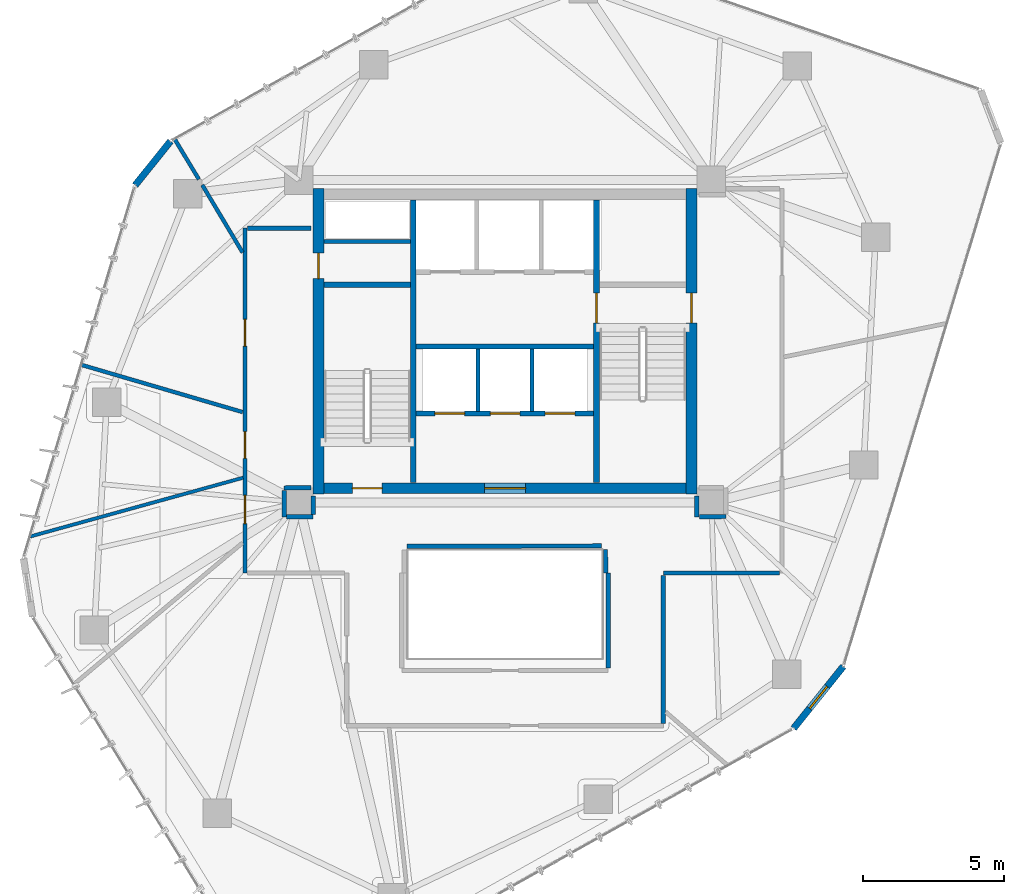
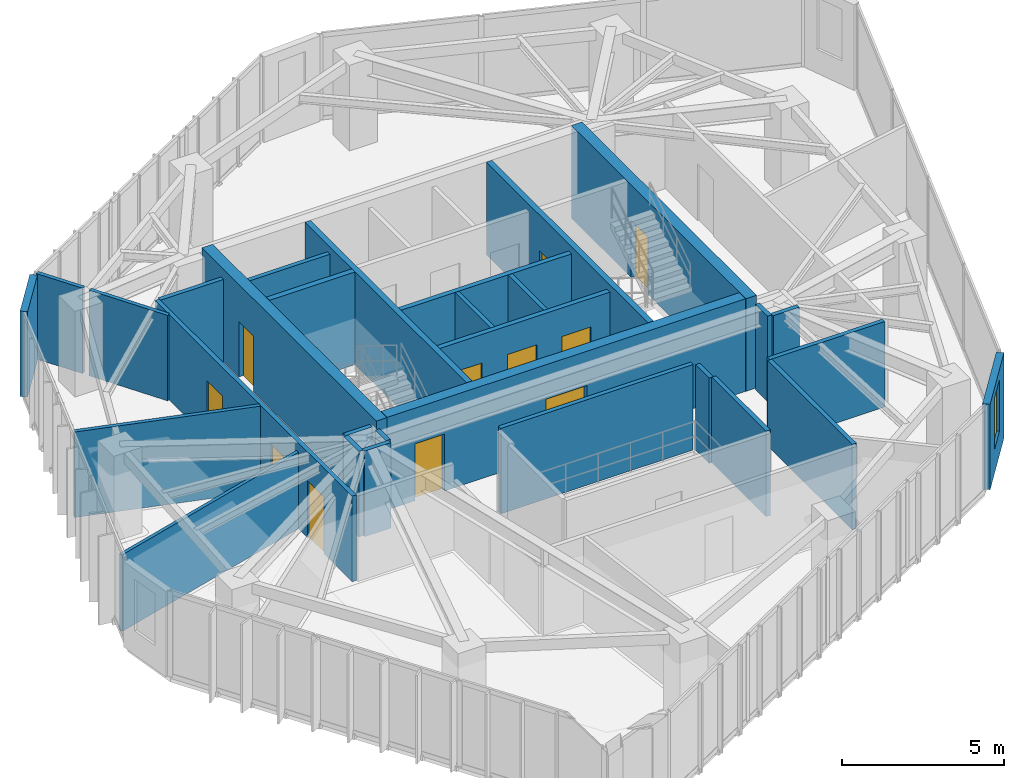
# One storey, part 16 of 19: 30 walls, 11 doors, 1 window, 12 openings.
"""IFC4 building model written with IfcOpenShell, lengths in metres."""

from ifc_helpers import new_model, si_unit, direction, frame, frame_2d, origin, place, context, subcontext, project, spatial, rectangle, extrude, source, transform, mapped, material, layer, layer_set, type_object, type_shapes, element, fill, save


model = new_model("IFC4")

# Units and contexts
model_context = context("Model", 3, precision=1e-05, world=origin(), true_north=direction((0.0, 1.0)))
body_context = subcontext(model_context, "Body", "Model", "MODEL_VIEW")
ifc_project = project(units=[si_unit("LENGTHUNIT", "METRE"), si_unit("AREAUNIT", "SQUARE_METRE"), si_unit("VOLUMEUNIT", "CUBIC_METRE"), si_unit("PLANEANGLEUNIT", "RADIAN"), si_unit("MASSUNIT", "GRAM", prefix="KILO")], contexts=[model_context])

# Site, building, storey
site_placement = place(None, origin())
site = spatial("IfcSite", under=ifc_project, at=site_placement, CompositionType="ELEMENT")
building_placement = place(site_placement, origin())
building = spatial("IfcBuilding", under=site, at=building_placement, Name="Talar Marvaseh", CompositionType="ELEMENT")
storey_placement = place(building_placement, frame((0.0, 0.0, 177.5)))
storey = spatial("IfcBuildingStorey", under=building, at=storey_placement, Name="L46", CompositionType="ELEMENT", Elevation=177.5)

# Wall
ifc_material_1 = material(Name="Precast concrete C45/55", Category="concrete")
ifc_layer_1 = layer(ifc_material_1, 0.239990234375)
ifc_layer_set_1 = layer_set([ifc_layer_1], Name="Precast concrete C45/55")
wall_type_1 = type_object("IfcWallType", Name="Chamfered Hexagonal Corner Pier Wall Z3 240", PredefinedType="SOLIDWALL", material=ifc_layer_set_1)
wall_1_placement = place(storey_placement, frame((12.914306640625, 36.718017578125, 0.0), z_axis=(0.0, 0.0, 1.0), x_axis=(0.625942710203, 0.77986904256, 0.0)))
element("IfcWall", 1, at=wall_1_placement, inside=storey, type_object=wall_type_1, Name="L46 Chamfered Corner Limestone Pier 3", PredefinedType="SOLIDWALL", context=body_context, shape_type="SweptSolid", body=[
    extrude(rectangle(XDim=2.003173828125, YDim=0.239990234375, at=frame_2d((1.00146484375, 0.0))), origin(), (0.0, 0.0, 1.0), 3.22998046875),
])

# Wall, opening, window
wall_2_placement = place(storey_placement, frame((37.97119140625, 19.69677734375, 0.0), z_axis=(0.0, 0.0, 1.0), x_axis=(-0.625889419359, -0.779911812152, 0.0)))
wall_2 = element("IfcWall", 2, at=wall_2_placement, inside=storey, type_object=wall_type_1, Name="L46 Chamfered Corner Limestone Pier 6", PredefinedType="SOLIDWALL", context=body_context, shape_type="SweptSolid", body=[
    extrude(rectangle(XDim=2.815185546875, YDim=0.239990234375, at=frame_2d((1.40771484375, 0.0))), origin(), (0.0, 0.0, 1.0), 3.22998046875),
])
opening_1_placement = place(wall_2_placement, frame((0.907958984375, 0.0, 0.89990234375)))
opening_1 = element("IfcOpeningElement", 3, at=opening_1_placement, cuts=wall_2, Name="Opening WN-CHM10", PredefinedType="OPENING", context=body_context, shape_type="SweptSolid", body=[
    extrude(rectangle(XDim=1.0, YDim=1.949951171875, at=frame_2d((0.5, 0.97509765625))), frame((0.0, 0.1298828125, 0.0), z_axis=(0.0, -1.0, 0.0), x_axis=(1.0, 0.0, 0.0)), (0.0, 0.0, 1.0), 0.260009765625),
])
ifc_material_2 = material(Name="Laminated Low-E Solar Glass", Category="glass")
window_type = type_object("IfcWindowType", Name="Zone 3 Chamfered Corner Slot Window 1000x1950", PartitioningType="SINGLE_PANEL", PredefinedType="WINDOW", material=ifc_material_2)
shared_shape_1 = source(origin(), body_context, "Body", "SweptSolid", [
    extrude(rectangle(XDim=1.0, YDim=1.949951171875, at=frame_2d((0.5, 0.97509765625))), frame((0.0, 0.030029296875, 0.0), z_axis=(0.0, -1.0, 0.0), x_axis=(1.0, 0.0, 0.0)), (0.0, 0.0, 1.0), 0.06005859375),
])
type_shapes(window_type, [shared_shape_1])
window_placement = place(opening_1_placement, origin())
window = element("IfcWindow", 4, at=window_placement, inside=storey, type_object=window_type, Name="L46 Chamfered Corner Slot Window", OverallHeight=1.949951171875, OverallWidth=1.0, PartitioningType="SINGLE_PANEL", PredefinedType="WINDOW", context=body_context, shape_type="MappedRepresentation", body=[
    mapped(shared_shape_1, transform((0.0, 0.0, 0.0), x_axis=(1.0, 0.0, 0.0), y_axis=(0.0, 1.0, 0.0), z_axis=(0.0, 0.0, 1.0), scale=1.0)),
])
fill(opening_1, window)

# Wall
ifc_material_3 = material(Name="Gypsum Board Partition Assembly")
ifc_layer_2 = layer(ifc_material_3, 0.155029296875)
ifc_layer_set_2 = layer_set([ifc_layer_2], Name="Gypsum Board Partition Assembly")
wall_type_2 = type_object("IfcWallType", Name="Corridor Fire-Rated Acoustic Partition 155", PredefinedType="PARTITIONING", material=ifc_layer_set_2)
wall_3_placement = place(storey_placement, frame((19.60009765625, 34.72998046875, 0.0), z_axis=(0.0, 0.0, 1.0), x_axis=(1.0, 0.0, 0.0)))
element("IfcWall", 5, at=wall_3_placement, inside=storey, type_object=wall_type_2, Name="L46 Core BOH Partition", PredefinedType="PARTITIONING", context=body_context, shape_type="SweptSolid", body=[
    extrude(rectangle(XDim=3.059814453125, YDim=0.155029296875, at=frame_2d((1.52978515625, 0.0))), origin(), (0.0, 0.0, 1.0), 3.22998046875),
])

# Wall, openings, doors
wall_4_placement = place(storey_placement, frame((16.800048828125, 23.0, 0.0), z_axis=(0.0, 0.0, 1.0), x_axis=(0.0, 1.0, 0.0)))
wall_4 = element("IfcWall", 6, at=wall_4_placement, inside=storey, type_object=wall_type_2, Name="L46 Interior Partition Wall", PredefinedType="PARTITIONING", context=body_context, shape_type="SweptSolid", body=[
    extrude(rectangle(XDim=12.199951171875, YDim=0.155029296875, at=frame_2d((6.10009765625, 0.0))), origin(), (0.0, 0.0, 1.0), 3.22998046875),
])
opening_2_placement = place(wall_4_placement, frame((4.056640625, 0.0, 0.0)))
opening_2 = element("IfcOpeningElement", 7, at=opening_2_placement, cuts=wall_4, Name="Opening DR-WC095", PredefinedType="OPENING", context=body_context, shape_type="SweptSolid", body=[
    extrude(rectangle(XDim=0.949951171875, YDim=2.14990234375, at=frame_2d((0.47509765625, 1.074951171875))), frame((0.0, 0.08740234375, 0.0), z_axis=(0.0, -1.0, 0.0), x_axis=(1.0, 0.0, 0.0)), (0.0, 0.0, 1.0), 0.175048828125),
])
opening_3_placement = place(wall_4_placement, frame((1.746826171875, 0.0, 0.0)))
opening_3 = element("IfcOpeningElement", 8, at=opening_3_placement, cuts=wall_4, Name="Opening DR-RM100", PredefinedType="OPENING", context=body_context, shape_type="SweptSolid", body=[
    extrude(rectangle(XDim=1.0, YDim=2.14990234375, at=frame_2d((0.5, 1.074951171875))), frame((0.0, 0.08740234375, 0.0), z_axis=(0.0, -1.0, 0.0), x_axis=(1.0, 0.0, 0.0)), (0.0, 0.0, 1.0), 0.175048828125),
])
opening_4_placement = place(wall_4_placement, frame((8.026123046875, 0.0, 0.0)))
opening_4 = element("IfcOpeningElement", 9, at=opening_4_placement, cuts=wall_4, Name="Opening DR-WC095", PredefinedType="OPENING", context=body_context, shape_type="SweptSolid", body=[
    extrude(rectangle(XDim=0.949951171875, YDim=2.14990234375, at=frame_2d((0.47509765625, 1.074951171875))), frame((0.0, 0.08740234375, 0.0), z_axis=(0.0, -1.0, 0.0), x_axis=(1.0, 0.0, 0.0)), (0.0, 0.0, 1.0), 0.175048828125),
])
ifc_material_4 = material(Name="Acoustic Engineered Oak Timber", Category="wood")
door_type_1 = type_object("IfcDoorType", Name="Washroom and Service Room Door 950x2150", OperationType="NOTDEFINED", PredefinedType="DOOR", material=ifc_material_4)
shared_shape_2 = source(origin(), body_context, "Body", "SweptSolid", [
    extrude(rectangle(XDim=0.949951171875, YDim=2.14990234375, at=frame_2d((0.47509765625, 1.074951171875))), frame((0.0, 0.02490234375, 0.0), z_axis=(0.0, -1.0, 0.0), x_axis=(1.0, 0.0, 0.0)), (0.0, 0.0, 1.0), 0.050048828125),
])
type_shapes(door_type_1, [shared_shape_2])
door_1_placement = place(opening_2_placement, origin())
door_1 = element("IfcDoor", 10, at=door_1_placement, inside=storey, type_object=door_type_1, Name="L46 Accessible WC Door", OperationType="SINGLE_SWING_LEFT", OverallHeight=2.14990234375, OverallWidth=0.949951171875, PredefinedType="DOOR", context=body_context, shape_type="MappedRepresentation", body=[
    mapped(shared_shape_2, transform((0.0, 0.0, 0.0), x_axis=(1.0, 0.0, 0.0), y_axis=(0.0, 1.0, 0.0), z_axis=(0.0, 0.0, 1.0), scale=1.0)),
])
fill(opening_2, door_1)
door_2_placement = place(opening_4_placement, origin())
door_2 = element("IfcDoor", 11, at=door_2_placement, inside=storey, type_object=door_type_1, Name="L46 Manuscript Folio Archive Room Door", OperationType="SINGLE_SWING_RIGHT", OverallHeight=2.14990234375, OverallWidth=0.949951171875, PredefinedType="DOOR", context=body_context, shape_type="MappedRepresentation", body=[
    mapped(shared_shape_2, transform((0.0, 0.0, 0.0), x_axis=(1.0, 0.0, 0.0), y_axis=(0.0, 1.0, 0.0), z_axis=(0.0, 0.0, 1.0), scale=1.0)),
])
fill(opening_4, door_2)
door_type_2 = type_object("IfcDoorType", Name="Corridor Fire-Rated Gallery Door 1000x2150", OperationType="NOTDEFINED", PredefinedType="DOOR", material=ifc_material_4)
shared_shape_3 = source(origin(), body_context, "Body", "SweptSolid", [
    extrude(rectangle(XDim=1.0, YDim=2.14990234375, at=frame_2d((0.5, 1.074951171875))), frame((0.0, 0.02490234375, 0.0), z_axis=(0.0, -1.0, 0.0), x_axis=(1.0, 0.0, 0.0)), (0.0, 0.0, 1.0), 0.050048828125),
])
type_shapes(door_type_2, [shared_shape_3])
door_3_placement = place(opening_3_placement, origin())
door_3 = element("IfcDoor", 12, at=door_3_placement, inside=storey, type_object=door_type_2, Name="L46 Seminar Room Door", OperationType="SINGLE_SWING_RIGHT", OverallHeight=2.14990234375, OverallWidth=1.0, PredefinedType="DOOR", context=body_context, shape_type="MappedRepresentation", body=[
    mapped(shared_shape_3, transform((0.0, 0.0, 0.0), x_axis=(1.0, 0.0, 0.0), y_axis=(0.0, 1.0, 0.0), z_axis=(0.0, 0.0, 1.0), scale=1.0)),
])
fill(opening_3, door_3)

# Walls
wall_5_placement = place(storey_placement, frame((16.883544921875, 35.199951171875, 0.0), z_axis=(0.0, 0.0, 1.0), x_axis=(1.0, 0.0, 0.0)))
element("IfcWall", 13, at=wall_5_placement, inside=storey, type_object=wall_type_2, Name="L46 Interior Partition Wall", PredefinedType="PARTITIONING", context=body_context, shape_type="SweptSolid", body=[
    extrude(rectangle(XDim=2.246337890625, YDim=0.155029296875, at=frame_2d((1.123046875, 0.0))), origin(), (0.0, 0.0, 1.0), 3.22998046875),
])
wall_6_placement = place(storey_placement, frame((19.1298828125, 26.0146484375, 0.0), z_axis=(0.0, 0.0, 1.0), x_axis=(-0.99999026157, -0.004413248818, 0.0)))
element("IfcWall", 14, at=wall_6_placement, inside=storey, type_object=wall_type_2, Name="L46 Interior Partition Wall", PredefinedType="PARTITIONING", context=body_context, shape_type="SweptSolid", body=[
    extrude(rectangle(XDim=0.9404296875, YDim=0.155029296875, at=frame_2d((0.47021484375, 0.0))), origin(), (0.0, 0.0, 1.0), 3.22998046875),
])
wall_7_placement = place(storey_placement, frame((18.189697265625, 25.927001953125, 0.0), z_axis=(0.0, 0.0, 1.0), x_axis=(0.002078997586, -0.999997838882, 0.0)))
element("IfcWall", 15, at=wall_7_placement, inside=storey, type_object=wall_type_2, Name="L46 Interior Partition Wall", PredefinedType="PARTITIONING", context=body_context, shape_type="SweptSolid", body=[
    extrude(rectangle(XDim=0.939453125, YDim=0.155029296875, at=frame_2d((0.4697265625, 0.0))), origin(), (0.0, 0.0, 1.0), 3.22998046875),
])
wall_8_placement = place(storey_placement, frame((18.275146484375, 24.987548828125, 0.0), z_axis=(0.0, 0.0, 1.0), x_axis=(0.999999692748, 0.0007839036, 0.0)))
element("IfcWall", 16, at=wall_8_placement, inside=storey, type_object=wall_type_2, Name="L46 Interior Partition Wall", PredefinedType="PARTITIONING", context=body_context, shape_type="SweptSolid", body=[
    extrude(rectangle(XDim=0.934326171875, YDim=0.155029296875, at=frame_2d((0.46728515625, 0.0))), origin(), (0.0, 0.0, 1.0), 3.22998046875),
])
wall_9_placement = place(storey_placement, frame((19.210205078125, 25.072021484375, 0.0), z_axis=(0.0, 0.0, 1.0), x_axis=(0.007420945932, 0.999972464402, 0.0)))
element("IfcWall", 17, at=wall_9_placement, inside=storey, type_object=wall_type_2, Name="L46 Interior Partition Wall", PredefinedType="PARTITIONING", context=body_context, shape_type="SweptSolid", body=[
    extrude(rectangle(XDim=0.657958984375, YDim=0.155029296875, at=frame_2d((0.3291015625, 0.0))), origin(), (0.0, 0.0, 1.0), 3.22998046875),
])
wall_10_placement = place(storey_placement, frame((32.784912109375, 25.72998046875, 0.0), z_axis=(0.0, 0.0, 1.0), x_axis=(0.007570553288, -0.999971342951, 0.0)))
element("IfcWall", 18, at=wall_10_placement, inside=storey, type_object=wall_type_2, Name="L46 Interior Partition Wall", PredefinedType="PARTITIONING", context=body_context, shape_type="SweptSolid", body=[
    extrude(rectangle(XDim=0.74169921875, YDim=0.155029296875, at=frame_2d((0.370849609375, 0.0))), origin(), (0.0, 0.0, 1.0), 3.22998046875),
])
wall_11_placement = place(storey_placement, frame((32.8740234375, 24.9892578125, 0.0), z_axis=(0.0, 0.0, 1.0), x_axis=(0.999934835738, 0.01141596595, 0.0)))
element("IfcWall", 19, at=wall_11_placement, inside=storey, type_object=wall_type_2, Name="L46 Interior Partition Wall", PredefinedType="PARTITIONING", context=body_context, shape_type="SweptSolid", body=[
    extrude(rectangle(XDim=0.94091796875, YDim=0.155029296875, at=frame_2d((0.470458984375, 0.0))), origin(), (0.0, 0.0, 1.0), 3.22998046875),
])
wall_12_placement = place(storey_placement, frame((35.716552734375, 23.0, 0.0), z_axis=(0.0, 0.0, 1.0), x_axis=(-1.0, 0.0, 0.0)))
element("IfcWall", 20, at=wall_12_placement, inside=storey, type_object=wall_type_2, Name="L46 Interior Partition Wall", PredefinedType="PARTITIONING", context=body_context, shape_type="SweptSolid", body=[
    extrude(rectangle(XDim=4.116455078125, YDim=0.155029296875, at=frame_2d((2.05810546875, 0.0))), origin(), (0.0, 0.0, 1.0), 3.22998046875),
])
wall_13_placement = place(storey_placement, frame((31.60009765625, 22.91650390625, 0.0), z_axis=(0.0, 0.0, 1.0), x_axis=(0.0, -1.0, 0.0)))
element("IfcWall", 21, at=wall_13_placement, inside=storey, type_object=wall_type_2, Name="L46 Interior Partition Wall", PredefinedType="PARTITIONING", context=body_context, shape_type="SweptSolid", body=[
    extrude(rectangle(XDim=5.23291015625, YDim=0.155029296875, at=frame_2d((2.616455078125, 0.0))), origin(), (0.0, 0.0, 1.0), 3.22998046875),
])
wall_14_placement = place(storey_placement, frame((29.415771484375, 23.959228515625, 0.0), z_axis=(0.0, 0.0, 1.0), x_axis=(-0.999998607957, -0.001668557745, 0.0)))
element("IfcWall", 22, at=wall_14_placement, inside=storey, type_object=wall_type_2, Name="L46 Interior Partition Wall", PredefinedType="PARTITIONING", context=body_context, shape_type="SweptSolid", body=[
    extrude(rectangle(XDim=6.876953125, YDim=0.155029296875, at=frame_2d((3.4384765625, 0.0))), origin(), (0.0, 0.0, 1.0), 3.22998046875),
])
wall_15_placement = place(storey_placement, frame((29.64990234375, 19.633544921875, 0.0), z_axis=(0.0, 0.0, 1.0), x_axis=(0.0, 1.0, 0.0)))
element("IfcWall", 23, at=wall_15_placement, inside=storey, type_object=wall_type_2, Name="L46 Interior Partition Wall", PredefinedType="PARTITIONING", context=body_context, shape_type="SweptSolid", body=[
    extrude(rectangle(XDim=3.366455078125, YDim=0.155029296875, at=frame_2d((1.68310546875, 0.0))), origin(), (0.0, 0.0, 1.0), 3.22998046875),
])
wall_16_placement = place(storey_placement, frame((29.56005859375, 23.0, 0.0), z_axis=(0.0, 0.0, 1.0), x_axis=(-0.003817887006, 0.999992711843, 0.0)))
element("IfcWall", 24, at=wall_16_placement, inside=storey, type_object=wall_type_2, Name="L46 Interior Partition Wall", PredefinedType="PARTITIONING", context=body_context, shape_type="SweptSolid", body=[
    extrude(rectangle(XDim=0.831298828125, YDim=0.155029296875, at=frame_2d((0.41552734375, 0.0))), origin(), (0.0, 0.0, 1.0), 3.22998046875),
])
ifc_layer_3 = layer(ifc_material_3, 0.1201171875)
ifc_layer_set_3 = layer_set([ifc_layer_3], Name="Gypsum Board Partition Assembly")
wall_type_3 = type_object("IfcWallType", Name="Demountable Studio Room Partition 120", PredefinedType="PARTITIONING", material=ifc_layer_set_3)
wall_17_placement = place(storey_placement, frame((16.7373046875, 26.372802734375, 0.0), z_axis=(0.0, 0.0, 1.0), x_axis=(-0.9639425863, -0.266110297278, 0.0)))
element("IfcWall", 25, at=wall_17_placement, inside=storey, type_object=wall_type_3, Name="L46 Interior Partition Wall", PredefinedType="PARTITIONING", context=body_context, shape_type="SweptSolid", body=[
    extrude(rectangle(XDim=7.81005859375, YDim=0.1201171875, at=frame_2d((3.905029296875, 0.0))), origin(), (0.0, 0.0, 1.0), 2.89208984375),
])
ifc_layer_4 = layer(ifc_material_1, 0.14501953125)
ifc_layer_set_4 = layer_set([ifc_layer_4], Name="Precast concrete C45/55")
wall_type_4 = type_object("IfcWallType", Name="Fire-Rated Lift Divider Wall 145", PredefinedType="SOLIDWALL", material=ifc_layer_set_4)
for number, where, z_axis, x_axis, name in (
    (26, (25.050048828125, 28.719970703125, 0.0), (0.0, 0.0, 1.0), (0.0, 1.0, 0.0), "L46 PL-H1/PL-H2 Divider"),
    (27, (26.949951171875, 28.719970703125, 0.0), (0.0, 0.0, 1.0), (0.0, 1.0, 0.0), "L46 PL-H2/PL-H3 Divider"),
):
    element("IfcWall", number, at=place(storey_placement, frame(where, z_axis=z_axis, x_axis=x_axis)), inside=storey, type_object=wall_type_4, Name=name, PredefinedType="SOLIDWALL", context=body_context, shape_type="SweptSolid", body=[
        extrude(rectangle(XDim=2.20654296875, YDim=0.14501953125, at=frame_2d((1.103271484375, 0.0))), origin(), (0.0, 0.0, 1.0), 3.22998046875),
    ])
ifc_layer_5 = layer(ifc_material_1, 0.175048828125)
ifc_layer_set_5 = layer_set([ifc_layer_5], Name="Precast concrete C45/55")
wall_type_5 = type_object("IfcWallType", Name="Fire-Rated Lift Hoistway Enclosure Wall 175", PredefinedType="SOLIDWALL", material=ifc_layer_set_5)
wall_18_placement = place(storey_placement, frame((22.860107421875, 31.02001953125, 0.0), z_axis=(0.0, 0.0, 1.0), x_axis=(1.0, 0.0, 0.0)))
element("IfcWall", 28, at=wall_18_placement, inside=storey, type_object=wall_type_5, Name="L46 Firefighting Lobby South Smoke Wall", PredefinedType="SOLIDWALL", context=body_context, shape_type="SweptSolid", body=[
    extrude(rectangle(XDim=6.27978515625, YDim=0.175048828125, at=frame_2d((3.139892578125, 0.0))), origin(), (0.0, 0.0, 1.0), 3.22998046875),
])

# Wall, openings, doors
wall_19_placement = place(storey_placement, frame((22.860107421875, 28.639892578125, 0.0), z_axis=(0.0, 0.0, 1.0), x_axis=(1.0, 0.0, 0.0)))
wall_19 = element("IfcWall", 29, at=wall_19_placement, inside=storey, type_object=wall_type_5, Name="L46 High-Rise Lift Bank Front Wall", PredefinedType="SOLIDWALL", context=body_context, shape_type="SweptSolid", body=[
    extrude(rectangle(XDim=6.27978515625, YDim=0.175048828125, at=frame_2d((3.139892578125, 0.0))), origin(), (0.0, 0.0, 1.0), 3.22998046875),
])
opening_5_placement = place(wall_19_placement, frame((0.659912109375, 0.0, 0.0)))
opening_5 = element("IfcOpeningElement", 30, at=opening_5_placement, cuts=wall_19, Name="Opening LD-PLH1", PredefinedType="OPENING", context=body_context, shape_type="SweptSolid", body=[
    extrude(rectangle(XDim=1.050048828125, YDim=2.14990234375, at=frame_2d((0.52490234375, 1.074951171875))), frame((0.0, 0.09765625, 0.0), z_axis=(0.0, -1.0, 0.0), x_axis=(1.0, 0.0, 0.0)), (0.0, 0.0, 1.0), 0.195068359375),
])
opening_6_placement = place(wall_19_placement, frame((2.6201171875, 0.0, 0.0)))
opening_6 = element("IfcOpeningElement", 31, at=opening_6_placement, cuts=wall_19, Name="Opening LD-PLH2", PredefinedType="OPENING", context=body_context, shape_type="SweptSolid", body=[
    extrude(rectangle(XDim=1.050048828125, YDim=2.14990234375, at=frame_2d((0.52490234375, 1.074951171875))), frame((0.0, 0.09765625, 0.0), z_axis=(0.0, -1.0, 0.0), x_axis=(1.0, 0.0, 0.0)), (0.0, 0.0, 1.0), 0.195068359375),
])
opening_7_placement = place(wall_19_placement, frame((4.56005859375, 0.0, 0.0)))
opening_7 = element("IfcOpeningElement", 32, at=opening_7_placement, cuts=wall_19, Name="Opening LD-PLH3", PredefinedType="OPENING", context=body_context, shape_type="SweptSolid", body=[
    extrude(rectangle(XDim=1.050048828125, YDim=2.14990234375, at=frame_2d((0.52490234375, 1.074951171875))), frame((0.0, 0.09765625, 0.0), z_axis=(0.0, -1.0, 0.0), x_axis=(1.0, 0.0, 0.0)), (0.0, 0.0, 1.0), 0.195068359375),
])
ifc_material_5 = material(Name="Stainless Steel Grade 316", Category="steel")
door_type_3 = type_object("IfcDoorType", Name="Automatic Sliding Lift Landing Door 1050x2150", OperationType="NOTDEFINED", PredefinedType="DOOR", material=ifc_material_5)
shared_shape_4 = source(origin(), body_context, "Body", "SweptSolid", [
    extrude(rectangle(XDim=1.050048828125, YDim=2.14990234375, at=frame_2d((0.52490234375, 1.074951171875))), frame((0.0, 0.02490234375, 0.0), z_axis=(0.0, -1.0, 0.0), x_axis=(1.0, 0.0, 0.0)), (0.0, 0.0, 1.0), 0.050048828125),
])
type_shapes(door_type_3, [shared_shape_4])
door_4_placement = place(opening_5_placement, origin())
door_4 = element("IfcDoor", 33, at=door_4_placement, inside=storey, type_object=door_type_3, Name="L46 Lift PL-H1 Sliding Landing Door", OperationType="SLIDING_TO_LEFT", OverallHeight=2.14990234375, OverallWidth=1.050048828125, PredefinedType="DOOR", context=body_context, shape_type="MappedRepresentation", body=[
    mapped(shared_shape_4, transform((0.0, 0.0, 0.0), x_axis=(1.0, 0.0, 0.0), y_axis=(0.0, 1.0, 0.0), z_axis=(0.0, 0.0, 1.0), scale=1.0)),
])
fill(opening_5, door_4)
door_5_placement = place(opening_6_placement, origin())
door_5 = element("IfcDoor", 34, at=door_5_placement, inside=storey, type_object=door_type_3, Name="L46 Lift PL-H2 Sliding Landing Door", OperationType="SLIDING_TO_LEFT", OverallHeight=2.14990234375, OverallWidth=1.050048828125, PredefinedType="DOOR", context=body_context, shape_type="MappedRepresentation", body=[
    mapped(shared_shape_4, transform((0.0, 0.0, 0.0), x_axis=(1.0, 0.0, 0.0), y_axis=(0.0, 1.0, 0.0), z_axis=(0.0, 0.0, 1.0), scale=1.0)),
])
fill(opening_6, door_5)
door_6_placement = place(opening_7_placement, origin())
door_6 = element("IfcDoor", 35, at=door_6_placement, inside=storey, type_object=door_type_3, Name="L46 Lift PL-H3 Sliding Landing Door", OperationType="SLIDING_TO_LEFT", OverallHeight=2.14990234375, OverallWidth=1.050048828125, PredefinedType="DOOR", context=body_context, shape_type="MappedRepresentation", body=[
    mapped(shared_shape_4, transform((0.0, 0.0, 0.0), x_axis=(1.0, 0.0, 0.0), y_axis=(0.0, 1.0, 0.0), z_axis=(0.0, 0.0, 1.0), scale=1.0)),
])
fill(opening_7, door_6)

# Walls
ifc_layer_6 = layer(ifc_material_3, 0.135009765625)
ifc_layer_set_6 = layer_set([ifc_layer_6], Name="Gypsum Board Partition Assembly")
wall_type_6 = type_object("IfcWallType", Name="Gallery High-Acoustic Partition 135", PredefinedType="PARTITIONING", material=ifc_layer_set_6)
wall_20_placement = place(storey_placement, frame((11.030517578125, 30.359619140625, 0.0), z_axis=(0.0, 0.0, 1.0), x_axis=(0.959699465695, -0.28102835363, 0.0)))
element("IfcWall", 36, at=wall_20_placement, inside=storey, type_object=wall_type_6, Name="L46 Interior Partition Wall", PredefinedType="PARTITIONING", context=body_context, shape_type="SweptSolid", body=[
    extrude(rectangle(XDim=5.9248046875, YDim=0.135009765625, at=frame_2d((2.96240234375, 0.0))), origin(), (0.0, 0.0, 1.0), 3.22998046875),
])
wall_21_placement = place(storey_placement, frame((16.716552734375, 34.33984375, 0.0), z_axis=(0.0, 0.0, 1.0), x_axis=(-0.512495063341, 0.858690171163, 0.0)))
element("IfcWall", 37, at=wall_21_placement, inside=storey, type_object=wall_type_6, Name="L46 Interior Partition Wall", PredefinedType="PARTITIONING", context=body_context, shape_type="SweptSolid", body=[
    extrude(rectangle(XDim=2.783447265625, YDim=0.135009765625, at=frame_2d((1.3916015625, 0.0))), origin(), (0.0, 0.0, 1.0), 3.22998046875),
])
wall_22_placement = place(storey_placement, frame((15.169921875, 36.929931640625, 0.0), z_axis=(0.0, 0.0, 1.0), x_axis=(-0.516455235567, 0.856314188634, 0.0)))
element("IfcWall", 38, at=wall_22_placement, inside=storey, type_object=wall_type_6, Name="L46 Interior Partition Wall", PredefinedType="PARTITIONING", context=body_context, shape_type="SweptSolid", body=[
    extrude(rectangle(XDim=1.64794921875, YDim=0.135009765625, at=frame_2d((0.823974609375, 0.0))), origin(), (0.0, 0.0, 1.0), 3.22998046875),
])

# Wall, opening, door
ifc_material_6 = material(Name="Concrete C60/75", Category="concrete")
ifc_layer_7 = layer(ifc_material_6, 0.3798828125)
ifc_layer_set_7 = layer_set([ifc_layer_7], Name="Concrete C60/75")
wall_type_7 = type_object("IfcWallType", Name="Mid Core Reinforced Concrete Shear Wall 380", PredefinedType="SHEAR", material=ifc_layer_set_7)
wall_23_placement = place(storey_placement, frame((19.39990234375, 25.800048828125, 0.0), z_axis=(0.0, 0.0, 1.0), x_axis=(0.0, 1.0, 0.0)))
wall_23 = element("IfcWall", 39, at=wall_23_placement, inside=storey, type_object=wall_type_7, Name="L46 West Core Shear Wall", PredefinedType="SHEAR", context=body_context, shape_type="SweptSolid", body=[
    extrude(rectangle(XDim=10.800048828125, YDim=0.3798828125, at=frame_2d((5.39990234375, 0.0))), origin(), (0.0, 0.0, 1.0), 3.5),
])
opening_8_placement = place(wall_23_placement, frame((7.6201171875, 0.0, 0.0)))
opening_8 = element("IfcOpeningElement", 40, at=opening_8_placement, cuts=wall_23, Name="Opening DR-BOH090", PredefinedType="OPENING", context=body_context, shape_type="SweptSolid", body=[
    extrude(rectangle(XDim=0.89990234375, YDim=2.10009765625, at=frame_2d((0.449951171875, 1.050048828125))), frame((0.0, 0.199951171875, 0.0), z_axis=(0.0, -1.0, 0.0), x_axis=(1.0, 0.0, 0.0)), (0.0, 0.0, 1.0), 0.39990234375),
])
ifc_material_7 = material(Name="Fire-Rated Steel Door Leaf", Category="steel")
door_type_4 = type_object("IfcDoorType", Name="Core Back-of-House Service Door 900x2100", OperationType="NOTDEFINED", PredefinedType="DOOR", material=ifc_material_7)
shared_shape_5 = source(origin(), body_context, "Body", "SweptSolid", [
    extrude(rectangle(XDim=0.89990234375, YDim=2.10009765625, at=frame_2d((0.449951171875, 1.050048828125))), frame((0.0, 0.02490234375, 0.0), z_axis=(0.0, -1.0, 0.0), x_axis=(1.0, 0.0, 0.0)), (0.0, 0.0, 1.0), 0.050048828125),
])
type_shapes(door_type_4, [shared_shape_5])
door_7_placement = place(opening_8_placement, origin())
door_7 = element("IfcDoor", 41, at=door_7_placement, inside=storey, type_object=door_type_4, Name="L46 Cleaner Core West Closet Door", OperationType="SINGLE_SWING_LEFT", OverallHeight=2.10009765625, OverallWidth=0.89990234375, PredefinedType="DOOR", context=body_context, shape_type="MappedRepresentation", body=[
    mapped(shared_shape_5, transform((0.0, 0.0, 0.0), x_axis=(1.0, 0.0, 0.0), y_axis=(0.0, 1.0, 0.0), z_axis=(0.0, 0.0, 1.0), scale=1.0)),
])
fill(opening_8, door_7)

wall_24_placement = place(storey_placement, frame((32.60009765625, 36.60009765625, 0.0), z_axis=(0.0, 0.0, 1.0), x_axis=(0.0, -1.0, 0.0)))
wall_24 = element("IfcWall", 42, at=wall_24_placement, inside=storey, type_object=wall_type_7, Name="L46 East Core Shear Wall", PredefinedType="SHEAR", context=body_context, shape_type="SweptSolid", body=[
    extrude(rectangle(XDim=10.800048828125, YDim=0.3798828125, at=frame_2d((5.39990234375, 0.0))), origin(), (0.0, 0.0, 1.0), 3.5),
])
opening_9_placement = place(wall_24_placement, frame((3.699951171875, 0.0, 0.0)))
opening_9 = element("IfcOpeningElement", 43, at=opening_9_placement, cuts=wall_24, Name="Opening DR-ST105", PredefinedType="OPENING", context=body_context, shape_type="SweptSolid", body=[
    extrude(rectangle(XDim=1.050048828125, YDim=2.14990234375, at=frame_2d((0.52490234375, 1.074951171875))), frame((0.0, 0.199951171875, 0.0), z_axis=(0.0, -1.0, 0.0), x_axis=(1.0, 0.0, 0.0)), (0.0, 0.0, 1.0), 0.39990234375),
])
door_type_5 = type_object("IfcDoorType", Name="Protected Exit Stair Fire Door 1050x2150", OperationType="NOTDEFINED", PredefinedType="DOOR", material=ifc_material_7)
shared_shape_6 = source(origin(), body_context, "Body", "SweptSolid", [
    extrude(rectangle(XDim=1.050048828125, YDim=2.14990234375, at=frame_2d((0.52490234375, 1.074951171875))), frame((0.0, 0.02490234375, 0.0), z_axis=(0.0, -1.0, 0.0), x_axis=(1.0, 0.0, 0.0)), (0.0, 0.0, 1.0), 0.050048828125),
])
type_shapes(door_type_5, [shared_shape_6])
door_8_placement = place(opening_9_placement, origin())
door_8 = element("IfcDoor", 44, at=door_8_placement, inside=storey, type_object=door_type_5, Name="L46 Stair ST-2 Corridor Exit Door", OperationType="SINGLE_SWING_LEFT", OverallHeight=2.14990234375, OverallWidth=1.050048828125, PredefinedType="DOOR", context=body_context, shape_type="MappedRepresentation", body=[
    mapped(shared_shape_6, transform((0.0, 0.0, 0.0), x_axis=(1.0, 0.0, 0.0), y_axis=(0.0, 1.0, 0.0), z_axis=(0.0, 0.0, 1.0), scale=1.0)),
])
fill(opening_9, door_8)

# Wall, openings, doors
wall_25_placement = place(storey_placement, frame((32.39990234375, 26.0, 0.0), z_axis=(0.0, 0.0, 1.0), x_axis=(-1.0, 0.0, 0.0)))
wall_25 = element("IfcWall", 45, at=wall_25_placement, inside=storey, type_object=wall_type_7, Name="L46 South Core Shear Wall", PredefinedType="SHEAR", context=body_context, shape_type="SweptSolid", body=[
    extrude(rectangle(XDim=12.7998046875, YDim=0.3798828125, at=frame_2d((6.39990234375, 0.0))), origin(), (0.0, 0.0, 1.0), 3.5),
])
opening_10_placement = place(wall_25_placement, frame((10.75, 0.0, 0.0)))
opening_10 = element("IfcOpeningElement", 46, at=opening_10_placement, cuts=wall_25, Name="Opening DR-ST105", PredefinedType="OPENING", context=body_context, shape_type="SweptSolid", body=[
    extrude(rectangle(XDim=1.050048828125, YDim=2.14990234375, at=frame_2d((0.52490234375, 1.074951171875))), frame((0.0, 0.199951171875, 0.0), z_axis=(0.0, -1.0, 0.0), x_axis=(1.0, 0.0, 0.0)), (0.0, 0.0, 1.0), 0.39990234375),
])
opening_11_placement = place(wall_25_placement, frame((5.669921875, 0.0, 0.0)))
opening_11 = element("IfcOpeningElement", 47, at=opening_11_placement, cuts=wall_25, Name="Opening DR-LBY145", PredefinedType="OPENING", context=body_context, shape_type="SweptSolid", body=[
    extrude(rectangle(XDim=1.449951171875, YDim=2.199951171875, at=frame_2d((0.72509765625, 1.10009765625))), frame((0.0, 0.199951171875, 0.0), z_axis=(0.0, -1.0, 0.0), x_axis=(1.0, 0.0, 0.0)), (0.0, 0.0, 1.0), 0.39990234375),
])
door_9_placement = place(opening_10_placement, origin())
door_9 = element("IfcDoor", 48, at=door_9_placement, inside=storey, type_object=door_type_5, Name="L46 Stair ST-1 Exit Door", OperationType="SINGLE_SWING_RIGHT", OverallHeight=2.14990234375, OverallWidth=1.050048828125, PredefinedType="DOOR", context=body_context, shape_type="MappedRepresentation", body=[
    mapped(shared_shape_6, transform((0.0, 0.0, 0.0), x_axis=(1.0, 0.0, 0.0), y_axis=(0.0, 1.0, 0.0), z_axis=(0.0, 0.0, 1.0), scale=1.0)),
])
fill(opening_10, door_9)
door_type_6 = type_object("IfcDoorType", Name="Core Lift Lobby Double Smoke Door 1450x2200", OperationType="NOTDEFINED", PredefinedType="DOOR", material=ifc_material_7)
shared_shape_7 = source(origin(), body_context, "Body", "SweptSolid", [
    extrude(rectangle(XDim=1.449951171875, YDim=2.199951171875, at=frame_2d((0.72509765625, 1.10009765625))), frame((0.0, 0.02490234375, 0.0), z_axis=(0.0, -1.0, 0.0), x_axis=(1.0, 0.0, 0.0)), (0.0, 0.0, 1.0), 0.050048828125),
])
type_shapes(door_type_6, [shared_shape_7])
door_10_placement = place(opening_11_placement, origin())
door_10 = element("IfcDoor", 49, at=door_10_placement, inside=storey, type_object=door_type_6, Name="L46 Passenger Lift Lobby Entrance Door", OperationType="DOUBLE_DOOR_SINGLE_SWING", OverallHeight=2.199951171875, OverallWidth=1.449951171875, PredefinedType="DOOR", context=body_context, shape_type="MappedRepresentation", body=[
    mapped(shared_shape_7, transform((0.0, 0.0, 0.0), x_axis=(1.0, 0.0, 0.0), y_axis=(0.0, 1.0, 0.0), z_axis=(0.0, 0.0, 1.0), scale=1.0)),
])
fill(opening_11, door_10)

# Wall
ifc_material_8 = material(Name="Concrete C50/60", Category="concrete")
ifc_layer_8 = layer(ifc_material_8, 0.199951171875)
ifc_layer_set_8 = layer_set([ifc_layer_8], Name="Concrete C50/60")
wall_type_8 = type_object("IfcWallType", Name="Stair Shaft Structural Concrete Shear Wall 200", PredefinedType="SHEAR", material=ifc_layer_set_8)
wall_26_placement = place(storey_placement, frame((22.760009765625, 26.199951171875, 0.0), z_axis=(0.0, 0.0, 1.0), x_axis=(0.0, 1.0, 0.0)))
element("IfcWall", 50, at=wall_26_placement, inside=storey, type_object=wall_type_8, Name="L46 Core West Stair Shear Wall", PredefinedType="SHEAR", context=body_context, shape_type="SweptSolid", body=[
    extrude(rectangle(XDim=10.0, YDim=0.199951171875, at=frame_2d((5.0, 0.0))), origin(), (0.0, 0.0, 1.0), 3.5),
])

# Wall, opening, door
wall_27_placement = place(storey_placement, frame((29.239990234375, 26.199951171875, 0.0), z_axis=(0.0, 0.0, 1.0), x_axis=(0.0, 1.0, 0.0)))
wall_27 = element("IfcWall", 51, at=wall_27_placement, inside=storey, type_object=wall_type_8, Name="L46 Core East Stair Shear Wall", PredefinedType="SHEAR", context=body_context, shape_type="SweptSolid", body=[
    extrude(rectangle(XDim=10.0, YDim=0.199951171875, at=frame_2d((5.0, 0.0))), origin(), (0.0, 0.0, 1.0), 3.5),
])
opening_12_placement = place(wall_27_placement, frame((5.64990234375, 0.0, 0.0)))
opening_12 = element("IfcOpeningElement", 52, at=opening_12_placement, cuts=wall_27, Name="Opening DR-ST105", PredefinedType="OPENING", context=body_context, shape_type="SweptSolid", body=[
    extrude(rectangle(XDim=1.050048828125, YDim=2.14990234375, at=frame_2d((0.52490234375, 1.074951171875))), frame((0.0, 0.10986328125, 0.0), z_axis=(0.0, -1.0, 0.0), x_axis=(1.0, 0.0, 0.0)), (0.0, 0.0, 1.0), 0.219970703125),
])
door_11_placement = place(opening_12_placement, origin())
door_11 = element("IfcDoor", 53, at=door_11_placement, inside=storey, type_object=door_type_5, Name="L46 Firefighting Lobby to Stair ST-2 Door", OperationType="SINGLE_SWING_LEFT", OverallHeight=2.14990234375, OverallWidth=1.050048828125, PredefinedType="DOOR", context=body_context, shape_type="MappedRepresentation", body=[
    mapped(shared_shape_6, transform((0.0, 0.0, 0.0), x_axis=(1.0, 0.0, 0.0), y_axis=(0.0, 1.0, 0.0), z_axis=(0.0, 0.0, 1.0), scale=1.0)),
])
fill(opening_12, door_11)

# Wall
wall_28_placement = place(storey_placement, frame((19.60009765625, 33.199951171875, 0.0), z_axis=(0.0, 0.0, 1.0), x_axis=(1.0, 0.0, 0.0)))
element("IfcWall", 54, at=wall_28_placement, inside=storey, type_object=wall_type_8, Name="L46 Stair ST-1 North Shear Wall", PredefinedType="SHEAR", context=body_context, shape_type="SweptSolid", body=[
    extrude(rectangle(XDim=3.059814453125, YDim=0.199951171875, at=frame_2d((1.52978515625, 0.0))), origin(), (0.0, 0.0, 1.0), 3.5),
])

save(model, "model.ifc")
